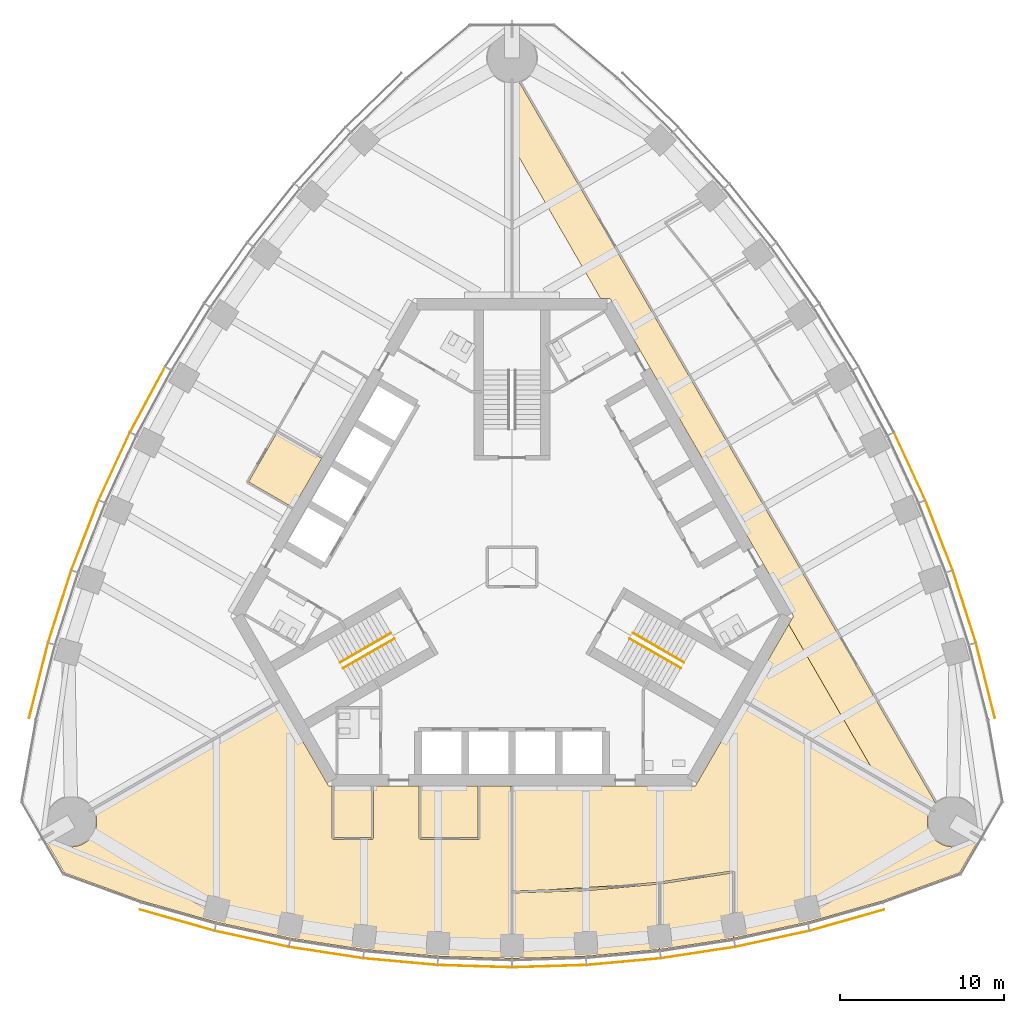
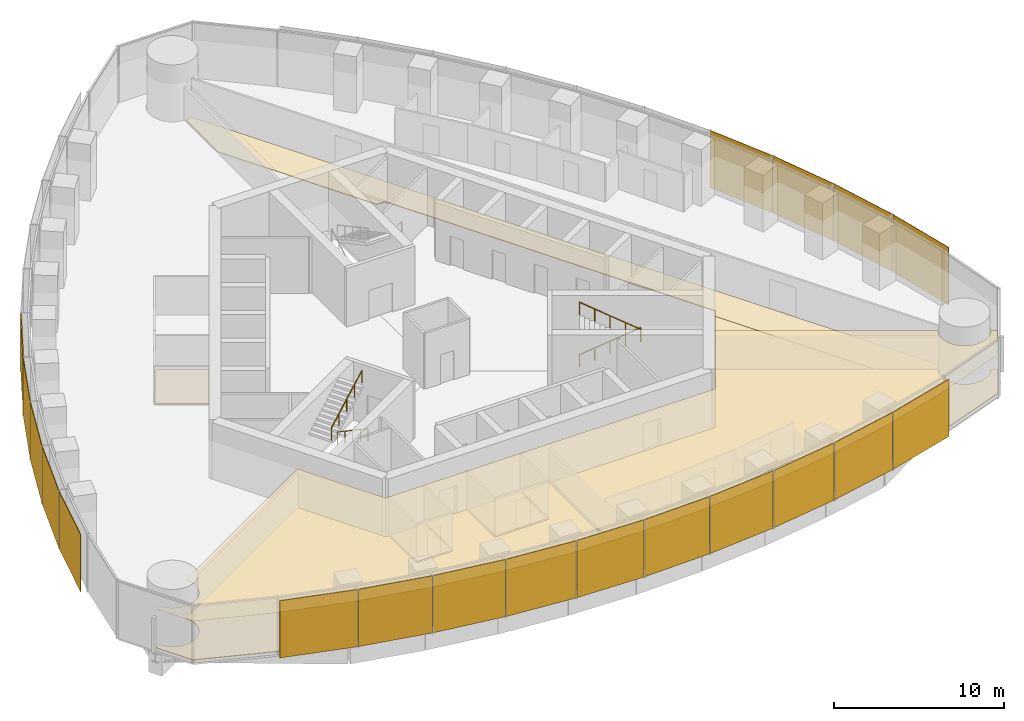
# One storey, part 11 of 15: 19 shading devices, 10 coverings, 4 railings.
"""IFC4 building model written with IfcOpenShell, lengths in metres."""

from ifc_helpers import new_model, si_unit, direction, frame, origin, origin_2d, place, context, subcontext, project, spatial, polyline, rectangle, circle, outline, extrude, material, layer, layer_set, type_object, element, save


model = new_model("IFC4")

# Units and contexts
model_context = context("Model", 3, precision=1e-05, world=origin(), true_north=direction((0.0, 1.0)))
body_context = subcontext(model_context, "Body", "Model", "MODEL_VIEW")
ifc_project = project(units=[si_unit("LENGTHUNIT", "METRE"), si_unit("AREAUNIT", "SQUARE_METRE"), si_unit("VOLUMEUNIT", "CUBIC_METRE"), si_unit("PLANEANGLEUNIT", "RADIAN"), si_unit("MASSUNIT", "GRAM", prefix="KILO")], contexts=[model_context])

# Site, building, storey
site_placement = place(None, origin())
site = spatial("IfcSite", under=ifc_project, at=site_placement, CompositionType="ELEMENT")
building_placement = place(site_placement, origin())
building = spatial("IfcBuilding", under=site, at=building_placement, Name="Trefoil Bronze Tower", CompositionType="ELEMENT")
storey_placement = place(building_placement, frame((0.0, 0.0, 276.300048828125)))
storey = spatial("IfcBuildingStorey", under=building, at=storey_placement, Name="L63", CompositionType="ELEMENT", Elevation=276.300048828125)

# Shading devices
ifc_material_1 = material(Name="Perforated bronze sheet", Category="bronze")
ifc_layer_1 = layer(ifc_material_1, 0.0400390625)
ifc_layer_set_1 = layer_set([ifc_layer_1], Name="Bronze solar screen panel")
shading_device_type = type_object("IfcShadingDeviceType", Name="Bronze solar screen panel", PredefinedType="SHUTTER", material=ifc_layer_set_1)
shading_device_1_placement = place(storey_placement, frame((-20.42138671875, -21.515625, 0.0498046875), z_axis=(0.0, 0.0, 1.0), x_axis=(0.962097746943, -0.272704831875, 0.0)))
element("IfcShadingDevice", 1, at=shading_device_1_placement, inside=storey, type_object=shading_device_type, Name="Solar screen CW-A L63 F1 bay 1", PredefinedType="SHUTTER", context=body_context, shape_type="SweptSolid", body=[
    extrude(rectangle(XDim=4.697509765625, YDim=0.0400390625, at=origin_2d()), origin(), (0.0, 0.0, 1.0), 4.10009765625),
])
shading_device_2_placement = place(storey_placement, frame((-15.864501953125, -22.65625, 0.0498046875), z_axis=(0.0, 0.0, 1.0), x_axis=(0.977303138829, -0.211845639168, 0.0)))
element("IfcShadingDevice", 2, at=shading_device_2_placement, inside=storey, type_object=shading_device_type, Name="Solar screen CW-A L63 F1 bay 2", PredefinedType="SHUTTER", context=body_context, shape_type="SweptSolid", body=[
    extrude(rectangle(XDim=4.574462890625, YDim=0.0400390625, at=origin_2d()), origin(), (0.0, 0.0, 1.0), 4.10009765625),
])
shading_device_3_placement = place(storey_placement, frame((-11.331787109375, -23.494384765625, 0.0498046875), z_axis=(0.0, 0.0, 1.0), x_axis=(0.988485337216, -0.151316681529, 0.0)))
element("IfcShadingDevice", 3, at=shading_device_3_placement, inside=storey, type_object=shading_device_type, Name="Solar screen CW-A L63 F1 bay 3", PredefinedType="SHUTTER", context=body_context, shape_type="SweptSolid", body=[
    extrude(rectangle(XDim=4.5224609375, YDim=0.0400390625, at=origin_2d()), origin(), (0.0, 0.0, 1.0), 4.10009765625),
])
shading_device_4_placement = place(storey_placement, frame((-6.799072265625, -24.048095703125, 0.0498046875), z_axis=(0.0, 0.0, 1.0), x_axis=(0.99587011625, -0.090789380212, 0.0)))
element("IfcShadingDevice", 4, at=shading_device_4_placement, inside=storey, type_object=shading_device_type, Name="Solar screen CW-A L63 F1 bay 4", PredefinedType="SHUTTER", context=body_context, shape_type="SweptSolid", body=[
    extrude(rectangle(XDim=4.48876953125, YDim=0.0400390625, at=origin_2d()), origin(), (0.0, 0.0, 1.0), 4.10009765625),
])
for number, where, z_axis, x_axis, name in (
    (5, (-2.266357421875, -24.3232421875, 0.0498046875), (0.0, 0.0, 1.0), (0.999541969785, -0.030263024264, 0.0), "Solar screen CW-A L63 F1 bay 5"),
    (6, (2.266357421875, -24.3232421875, 0.0498046875), (0.0, 0.0, 1.0), (0.999541969785, 0.030263024264, 0.0), "Solar screen CW-A L63 F1 bay 6"),
):
    element("IfcShadingDevice", number, at=place(storey_placement, frame(where, z_axis=z_axis, x_axis=x_axis)), inside=storey, type_object=shading_device_type, Name=name, PredefinedType="SHUTTER", context=body_context, shape_type="SweptSolid", body=[
        extrude(rectangle(XDim=4.47216796875, YDim=0.0400390625, at=origin_2d()), origin(), (0.0, 0.0, 1.0), 4.10009765625),
    ])
shading_device_5_placement = place(storey_placement, frame((6.799072265625, -24.048095703125, 0.0498046875), z_axis=(0.0, 0.0, 1.0), x_axis=(0.99587011625, 0.090789380212, 0.0)))
element("IfcShadingDevice", 7, at=shading_device_5_placement, inside=storey, type_object=shading_device_type, Name="Solar screen CW-A L63 F1 bay 7", PredefinedType="SHUTTER", context=body_context, shape_type="SweptSolid", body=[
    extrude(rectangle(XDim=4.48876953125, YDim=0.0400390625, at=origin_2d()), origin(), (0.0, 0.0, 1.0), 4.10009765625),
])
shading_device_6_placement = place(storey_placement, frame((11.331787109375, -23.494384765625, 0.0498046875), z_axis=(0.0, 0.0, 1.0), x_axis=(0.988485337216, 0.151316681529, 0.0)))
element("IfcShadingDevice", 8, at=shading_device_6_placement, inside=storey, type_object=shading_device_type, Name="Solar screen CW-A L63 F1 bay 8", PredefinedType="SHUTTER", context=body_context, shape_type="SweptSolid", body=[
    extrude(rectangle(XDim=4.5224609375, YDim=0.0400390625, at=origin_2d()), origin(), (0.0, 0.0, 1.0), 4.10009765625),
])
shading_device_7_placement = place(storey_placement, frame((15.864501953125, -22.65625, 0.0498046875), z_axis=(0.0, 0.0, 1.0), x_axis=(0.977303138829, 0.211845639168, 0.0)))
element("IfcShadingDevice", 9, at=shading_device_7_placement, inside=storey, type_object=shading_device_type, Name="Solar screen CW-A L63 F1 bay 9", PredefinedType="SHUTTER", context=body_context, shape_type="SweptSolid", body=[
    extrude(rectangle(XDim=4.574462890625, YDim=0.0400390625, at=origin_2d()), origin(), (0.0, 0.0, 1.0), 4.10009765625),
])
for number, where, z_axis, x_axis, name in (
    (10, (20.42138671875, -21.515625, 0.0498046875), (0.0, 0.0, 1.0), (0.962097746943, 0.272704831875, 0.0), "Solar screen CW-A L63 F1 bay 10"),
    (11, (28.843994140625, -6.927490234375, 0.0498046875), (0.0, 0.0, 1.0), (-0.244879561333, 0.969553505713, 0.0), "Solar screen CW-A L63 F2 bay 1"),
):
    element("IfcShadingDevice", number, at=place(storey_placement, frame(where, z_axis=z_axis, x_axis=x_axis)), inside=storey, type_object=shading_device_type, Name=name, PredefinedType="SHUTTER", context=body_context, shape_type="SweptSolid", body=[
        extrude(rectangle(XDim=4.697509765625, YDim=0.0400390625, at=origin_2d()), origin(), (0.0, 0.0, 1.0), 4.10009765625),
    ])
shading_device_8_placement = place(storey_placement, frame((27.55322265625, -2.410888671875, 0.0498046875), z_axis=(0.0, 0.0, 1.0), x_axis=(-0.305187864214, 0.952292165009, 0.0)))
element("IfcShadingDevice", 12, at=shading_device_8_placement, inside=storey, type_object=shading_device_type, Name="Solar screen CW-A L63 F2 bay 2", PredefinedType="SHUTTER", context=body_context, shape_type="SweptSolid", body=[
    extrude(rectangle(XDim=4.574462890625, YDim=0.0400390625, at=origin_2d()), origin(), (0.0, 0.0, 1.0), 4.10009765625),
])
shading_device_9_placement = place(storey_placement, frame((26.0126953125, 1.93359375, 0.0498046875), z_axis=(0.0, 0.0, 1.0), x_axis=(-0.363198578387, 0.931711754062, 0.0)))
element("IfcShadingDevice", 13, at=shading_device_9_placement, inside=storey, type_object=shading_device_type, Name="Solar screen CW-A L63 F2 bay 3", PredefinedType="SHUTTER", context=body_context, shape_type="SweptSolid", body=[
    extrude(rectangle(XDim=4.5224609375, YDim=0.0400390625, at=origin_2d()), origin(), (0.0, 0.0, 1.0), 4.10009765625),
])
shading_device_10_placement = place(storey_placement, frame((24.2255859375, 6.135986328125, 0.0498046875), z_axis=(0.0, 0.0, 1.0), x_axis=(-0.419309148468, 0.907843509649, 0.0)))
element("IfcShadingDevice", 14, at=shading_device_10_placement, inside=storey, type_object=shading_device_type, Name="Solar screen CW-A L63 F2 bay 4", PredefinedType="SHUTTER", context=body_context, shape_type="SweptSolid", body=[
    extrude(rectangle(XDim=4.48876953125, YDim=0.0400390625, at=origin_2d()), origin(), (0.0, 0.0, 1.0), 4.10009765625),
])
shading_device_11_placement = place(storey_placement, frame((-22.19775390625, 10.198974609375, 0.0498046875), z_axis=(0.0, 0.0, 1.0), x_axis=(-0.473562437085, -0.880760250115, 0.0)))
element("IfcShadingDevice", 15, at=shading_device_11_placement, inside=storey, type_object=shading_device_type, Name="Solar screen CW-A L63 F3 bay 6", PredefinedType="SHUTTER", context=body_context, shape_type="SweptSolid", body=[
    extrude(rectangle(XDim=4.47216796875, YDim=0.0400390625, at=origin_2d()), origin(), (0.0, 0.0, 1.0), 4.10009765625),
])
shading_device_12_placement = place(storey_placement, frame((-24.2255859375, 6.135986328125, 0.0498046875), z_axis=(0.0, 0.0, 1.0), x_axis=(-0.419309148468, -0.907843509649, 0.0)))
element("IfcShadingDevice", 16, at=shading_device_12_placement, inside=storey, type_object=shading_device_type, Name="Solar screen CW-A L63 F3 bay 7", PredefinedType="SHUTTER", context=body_context, shape_type="SweptSolid", body=[
    extrude(rectangle(XDim=4.48876953125, YDim=0.0400390625, at=origin_2d()), origin(), (0.0, 0.0, 1.0), 4.10009765625),
])
shading_device_13_placement = place(storey_placement, frame((-26.0126953125, 1.93359375, 0.0498046875), z_axis=(0.0, 0.0, 1.0), x_axis=(-0.363198578387, -0.931711754062, 0.0)))
element("IfcShadingDevice", 17, at=shading_device_13_placement, inside=storey, type_object=shading_device_type, Name="Solar screen CW-A L63 F3 bay 8", PredefinedType="SHUTTER", context=body_context, shape_type="SweptSolid", body=[
    extrude(rectangle(XDim=4.5224609375, YDim=0.0400390625, at=origin_2d()), origin(), (0.0, 0.0, 1.0), 4.10009765625),
])
shading_device_14_placement = place(storey_placement, frame((-27.55322265625, -2.410888671875, 0.0498046875), z_axis=(0.0, 0.0, 1.0), x_axis=(-0.305187864214, -0.952292165009, 0.0)))
element("IfcShadingDevice", 18, at=shading_device_14_placement, inside=storey, type_object=shading_device_type, Name="Solar screen CW-A L63 F3 bay 9", PredefinedType="SHUTTER", context=body_context, shape_type="SweptSolid", body=[
    extrude(rectangle(XDim=4.574462890625, YDim=0.0400390625, at=origin_2d()), origin(), (0.0, 0.0, 1.0), 4.10009765625),
])
shading_device_15_placement = place(storey_placement, frame((-28.843994140625, -6.927490234375, 0.0498046875), z_axis=(0.0, 0.0, 1.0), x_axis=(-0.244879561333, -0.969553505713, 0.0)))
element("IfcShadingDevice", 19, at=shading_device_15_placement, inside=storey, type_object=shading_device_type, Name="Solar screen CW-A L63 F3 bay 10", PredefinedType="SHUTTER", context=body_context, shape_type="SweptSolid", body=[
    extrude(rectangle(XDim=4.697509765625, YDim=0.0400390625, at=origin_2d()), origin(), (0.0, 0.0, 1.0), 4.10009765625),
])

# Railings
ifc_material_2 = material(Name="Steel handrail", Category="steel")
railing_type = type_object("IfcRailingType", Name="Handrail 900", PredefinedType="HANDRAIL", material=ifc_material_2)
railing_1_placement = place(storey_placement, frame((7.365966796875, -4.021728515625, 0.161376953125)))
element("IfcRailing", 20, at=railing_1_placement, inside=storey, type_object=railing_type, Name="Handrail ST1 flight 1 L63", PredefinedType="HANDRAIL", context=body_context, shape_type="SweptSolid", body=[
    extrude(circle(Radius=0.02392578125, at=origin_2d()), frame((0.0, 0.0, 0.8759765625), z_axis=(0.76250339821, -0.440245697338, 0.474101564745), x_axis=(0.500012057535, 0.866018442252, 0.0)), (0.0, 0.0, 1.0), 4.088623046875),
    extrude(circle(Radius=0.02099609375, at=origin_2d()), origin(), (0.0, 0.0, 1.0), 0.851806640625),
    extrude(circle(Radius=0.02099609375, at=origin_2d()), frame((0.779296875, -0.449951171875, 0.484619140625)), (0.0, 0.0, 1.0), 0.851806640625),
    extrude(circle(Radius=0.02099609375, at=origin_2d()), frame((1.558837890625, -0.89990234375, 0.96923828125)), (0.0, 0.0, 1.0), 0.851806640625),
    extrude(circle(Radius=0.02099609375, at=origin_2d()), frame((2.33837890625, -1.35009765625, 1.453857421875)), (0.0, 0.0, 1.0), 0.851806640625),
    extrude(circle(Radius=0.02099609375, at=origin_2d()), frame((3.11767578125, -1.800048828125, 1.9384765625)), (0.0, 0.0, 1.0), 0.851806640625),
])
railing_2_placement = place(storey_placement, frame((10.28369140625, -6.168212890625, 2.261474609375)))
element("IfcRailing", 21, at=railing_2_placement, inside=storey, type_object=railing_type, Name="Handrail ST1 flight 2 L63", PredefinedType="HANDRAIL", context=body_context, shape_type="SweptSolid", body=[
    extrude(circle(Radius=0.02392578125, at=origin_2d()), frame((0.0, 0.0, 0.8759765625), z_axis=(-0.76250339821, 0.440245697338, 0.474101564745), x_axis=(-0.500012057535, -0.866018442252, 0.0)), (0.0, 0.0, 1.0), 4.088623046875),
    extrude(circle(Radius=0.02099609375, at=origin_2d()), origin(), (0.0, 0.0, 1.0), 0.851806640625),
    extrude(circle(Radius=0.02099609375, at=origin_2d()), frame((-0.779296875, 0.449951171875, 0.484619140625)), (0.0, 0.0, 1.0), 0.851806640625),
    extrude(circle(Radius=0.02099609375, at=origin_2d()), frame((-1.558837890625, 0.89990234375, 0.96923828125)), (0.0, 0.0, 1.0), 0.851806640625),
    extrude(circle(Radius=0.02099609375, at=origin_2d()), frame((-2.33837890625, 1.35009765625, 1.453857421875)), (0.0, 0.0, 1.0), 0.851806640625),
    extrude(circle(Radius=0.02099609375, at=origin_2d()), frame((-3.11767578125, 1.800048828125, 1.9384765625)), (0.0, 0.0, 1.0), 0.851806640625),
])
railing_3_placement = place(storey_placement, frame((-7.166015625, -4.3681640625, 0.161376953125)))
element("IfcRailing", 22, at=railing_3_placement, inside=storey, type_object=railing_type, Name="Handrail ST3 flight 1 L63", PredefinedType="HANDRAIL", context=body_context, shape_type="SweptSolid", body=[
    extrude(circle(Radius=0.02392578125, at=origin_2d()), frame((0.0, 0.0, 0.8759765625), z_axis=(-0.76250339821, -0.440245697338, 0.474101564745), x_axis=(0.500012057535, -0.866018442252, 0.0)), (0.0, 0.0, 1.0), 4.088623046875),
    extrude(circle(Radius=0.02099609375, at=origin_2d()), origin(), (0.0, 0.0, 1.0), 0.851806640625),
    extrude(circle(Radius=0.02099609375, at=origin_2d()), frame((-0.779296875, -0.449951171875, 0.484619140625)), (0.0, 0.0, 1.0), 0.851806640625),
    extrude(circle(Radius=0.02099609375, at=origin_2d()), frame((-1.558837890625, -0.89990234375, 0.96923828125)), (0.0, 0.0, 1.0), 0.851806640625),
    extrude(circle(Radius=0.02099609375, at=origin_2d()), frame((-2.33837890625, -1.35009765625, 1.453857421875)), (0.0, 0.0, 1.0), 0.851806640625),
    extrude(circle(Radius=0.02099609375, at=origin_2d()), frame((-3.11767578125, -1.800048828125, 1.9384765625)), (0.0, 0.0, 1.0), 0.851806640625),
])
railing_4_placement = place(storey_placement, frame((-10.483642578125, -5.82177734375, 2.261474609375)))
element("IfcRailing", 23, at=railing_4_placement, inside=storey, type_object=railing_type, Name="Handrail ST3 flight 2 L63", PredefinedType="HANDRAIL", context=body_context, shape_type="SweptSolid", body=[
    extrude(circle(Radius=0.02392578125, at=origin_2d()), frame((0.0, 0.0, 0.8759765625), z_axis=(0.76250339821, 0.440245697338, 0.474101564745), x_axis=(-0.500012057535, 0.866018442252, 0.0)), (0.0, 0.0, 1.0), 4.088623046875),
    extrude(circle(Radius=0.02099609375, at=origin_2d()), origin(), (0.0, 0.0, 1.0), 0.851806640625),
    extrude(circle(Radius=0.02099609375, at=origin_2d()), frame((0.779296875, 0.449951171875, 0.484619140625)), (0.0, 0.0, 1.0), 0.851806640625),
    extrude(circle(Radius=0.02099609375, at=origin_2d()), frame((1.558837890625, 0.89990234375, 0.96923828125)), (0.0, 0.0, 1.0), 0.851806640625),
    extrude(circle(Radius=0.02099609375, at=origin_2d()), frame((2.33837890625, 1.35009765625, 1.453857421875)), (0.0, 0.0, 1.0), 0.851806640625),
    extrude(circle(Radius=0.02099609375, at=origin_2d()), frame((3.11767578125, 1.800048828125, 1.9384765625)), (0.0, 0.0, 1.0), 0.851806640625),
])

# Coverings
ifc_material_3 = material(Name="Acoustic ceiling panels", Category="mineral fibre")
ifc_layer_2 = layer(ifc_material_3, 0.02001953125)
ifc_layer_set_2 = layer_set([ifc_layer_2], Name="Office ceiling 20")
covering_type_1 = type_object("IfcCoveringType", Name="Office ceiling 20", PredefinedType="CEILING", material=ifc_layer_set_2)
covering_1_placement = place(storey_placement, frame((0.0, 0.0, 2.89990234375)))
element("IfcCovering", 24, at=covering_1_placement, inside=storey, type_object=covering_type_1, Name="Ceiling L63 Open-plan office F1", PredefinedType="CEILING", context=body_context, shape_type="SweptSolid", body=[
    extrude(outline(polyline([(-28.135498046875, -16.361083984375), (-28.091796875, -16.42333984375), (-28.044921875, -16.4833984375), (-27.995361328125, -16.541015625), (-27.94287109375, -16.595947265625), (-27.8876953125, -16.6484375), (-27.830078125, -16.6982421875), (-27.77001953125, -16.7451171875), (-27.7080078125, -16.788818359375), (-27.6435546875, -16.82958984375), (-27.577392578125, -16.866943359375), (-27.509521484375, -16.901123046875), (-27.43994140625, -16.931884765625), (-27.368896484375, -16.95947265625), (-27.296630859375, -16.9833984375), (-27.223388671875, -17.00341796875), (-27.149169921875, -17.020263671875), (-27.07421875, -17.033203125), (-26.998779296875, -17.04248046875), (-26.9228515625, -17.048095703125), (-26.8466796875, -17.050048828125), (-26.770751953125, -17.048095703125), (-26.69482421875, -17.04248046875), (-26.619384765625, -17.033203125), (-26.54443359375, -17.020263671875), (-26.47021484375, -17.00341796875), (-26.396728515625, -16.9833984375), (-26.32470703125, -16.95947265625), (-26.253662109375, -16.931884765625), (-26.18408203125, -16.901123046875), (-26.1162109375, -16.866943359375), (-26.0498046875, -16.82958984375), (-25.985595703125, -16.788818359375), (-25.923583984375, -16.7451171875), (-25.863525390625, -16.6982421875), (-25.805908203125, -16.6484375), (-25.750732421875, -16.595947265625), (-25.6982421875, -16.541015625), (-25.648681640625, -16.4833984375), (-25.601806640625, -16.42333984375), (-25.55810546875, -16.361083984375), (-25.517333984375, -16.296875), (-25.479736328125, -16.230712890625), (-25.445556640625, -16.16259765625), (-25.414794921875, -16.09326171875), (-25.387451171875, -16.022216796875), (-25.363525390625, -15.949951171875), (-25.34326171875, -15.876708984375), (-25.32666015625, -15.802490234375), (-25.313720703125, -15.727294921875), (-25.30419921875, -15.65185546875), (-25.298583984375, -15.576171875), (-25.296875, -15.5), (-25.298583984375, -15.423828125), (-25.30419921875, -15.34814453125), (-25.313720703125, -15.272705078125), (-25.32666015625, -15.197509765625), (-25.34326171875, -15.123291015625), (-25.363525390625, -15.050048828125), (-25.387451171875, -14.977783203125), (-25.414794921875, -14.90673828125), (-25.445556640625, -14.83740234375), (-25.479736328125, -14.769287109375), (-25.49951171875, -14.73486328125), (-14.156494140625, -8.180419921875), (-11.171630859375, -13.35009765625), (11.171630859375, -13.35009765625), (14.156494140625, -8.180419921875), (25.49951171875, -14.73486328125), (25.479736328125, -14.769287109375), (25.445556640625, -14.83740234375), (25.414794921875, -14.90673828125), (25.387451171875, -14.977783203125), (25.363525390625, -15.050048828125), (25.34326171875, -15.123291015625), (25.32666015625, -15.197509765625), (25.313720703125, -15.272705078125), (25.30419921875, -15.34814453125), (25.298583984375, -15.423828125), (25.296875, -15.5), (25.298583984375, -15.576171875), (25.30419921875, -15.65185546875), (25.313720703125, -15.727294921875), (25.32666015625, -15.802490234375), (25.34326171875, -15.876708984375), (25.363525390625, -15.949951171875), (25.387451171875, -16.022216796875), (25.414794921875, -16.09326171875), (25.445556640625, -16.16259765625), (25.479736328125, -16.230712890625), (25.517333984375, -16.296875), (25.55810546875, -16.361083984375), (25.601806640625, -16.42333984375), (25.648681640625, -16.4833984375), (25.6982421875, -16.541015625), (25.750732421875, -16.595947265625), (25.805908203125, -16.6484375), (25.863525390625, -16.6982421875), (25.923583984375, -16.7451171875), (25.985595703125, -16.788818359375), (26.0498046875, -16.82958984375), (26.1162109375, -16.866943359375), (26.18408203125, -16.901123046875), (26.253662109375, -16.931884765625), (26.32470703125, -16.95947265625), (26.396728515625, -16.9833984375), (26.47021484375, -17.00341796875), (26.54443359375, -17.020263671875), (26.619384765625, -17.033203125), (26.69482421875, -17.04248046875), (26.770751953125, -17.048095703125), (26.8466796875, -17.050048828125), (26.9228515625, -17.048095703125), (26.998779296875, -17.04248046875), (27.07421875, -17.033203125), (27.149169921875, -17.020263671875), (27.223388671875, -17.00341796875), (27.296630859375, -16.9833984375), (27.368896484375, -16.95947265625), (27.43994140625, -16.931884765625), (27.509521484375, -16.901123046875), (27.577392578125, -16.866943359375), (27.6435546875, -16.82958984375), (27.7080078125, -16.788818359375), (27.77001953125, -16.7451171875), (27.830078125, -16.6982421875), (27.8876953125, -16.6484375), (27.94287109375, -16.595947265625), (27.995361328125, -16.541015625), (28.044921875, -16.4833984375), (28.091796875, -16.42333984375), (28.135498046875, -16.361083984375), (28.182861328125, -16.285400390625), (28.510009765625, -16.474609375), (27.26220703125, -18.635986328125), (22.54833984375, -20.3515625), (18.0, -21.640869140625), (13.5, -22.6162109375), (9.0, -23.30517578125), (4.5, -23.71533203125), (0.0, -23.8515625), (-4.5, -23.71533203125), (-9.0, -23.30517578125), (-13.5, -22.6162109375), (-18.0, -21.640869140625), (-22.54833984375, -20.3515625), (-27.26220703125, -18.635986328125), (-28.510009765625, -16.474609375), (-28.182861328125, -16.285400390625), (-28.135498046875, -16.361083984375)])), origin(), (0.0, 0.0, 1.0), 0.02001953125),
])
ifc_material_4 = material(Name="Raised access floor panels", Category="steel")
ifc_layer_3 = layer(ifc_material_4, 0.050048828125)
ifc_layer_set_3 = layer_set([ifc_layer_3], Name="Raised access floor 150")
covering_type_2 = type_object("IfcCoveringType", Name="Raised access floor 150", PredefinedType="FLOORING", material=ifc_layer_set_3)
covering_2_placement = place(storey_placement, frame((0.0, 0.0, 0.099853515625)))
element("IfcCovering", 25, at=covering_2_placement, inside=storey, type_object=covering_type_2, Name="Raised floor L63 Meeting room F1", PredefinedType="FLOORING", context=body_context, shape_type="SweptSolid", body=[
    extrude(outline(polyline([(-2.06005859375, -13.35009765625), (-2.06005859375, -16.489990234375), (-5.5400390625, -16.489990234375), (-5.5400390625, -13.35009765625), (-2.06005859375, -13.35009765625)])), origin(), (0.0, 0.0, 1.0), 0.050048828125),
])
covering_3_placement = place(storey_placement, frame((0.0, 0.0, 0.099853515625)))
element("IfcCovering", 26, at=covering_3_placement, inside=storey, type_object=covering_type_2, Name="Raised floor L63 Comms room F1", PredefinedType="FLOORING", context=body_context, shape_type="SweptSolid", body=[
    extrude(outline(polyline([(-8.56005859375, -13.35009765625), (-8.56005859375, -16.489990234375), (-10.840087890625, -16.489990234375), (-10.840087890625, -13.35009765625), (-8.56005859375, -13.35009765625)])), origin(), (0.0, 0.0, 1.0), 0.050048828125),
])
covering_4_placement = place(storey_placement, frame((0.0, 0.0, 0.099853515625)))
element("IfcCovering", 27, at=covering_4_placement, inside=storey, type_object=covering_type_2, Name="Raised floor L63 Kitchen and breakout F1", PredefinedType="FLOORING", context=body_context, shape_type="SweptSolid", body=[
    extrude(outline(polyline([(4.5, -23.71533203125), (0.0, -23.8515625), (0.0, -22.321533203125), (0.074951171875, -22.321533203125), (0.074951171875, -19.859375), (4.501708984375, -19.725341796875), (4.5, -19.665283203125), (4.50537109375, -19.72509765625), (8.93994140625, -19.32080078125), (8.93994140625, -21.763916015625), (9.0, -21.763916015625), (9.0, -23.30517578125), (4.5, -23.71533203125)])), origin(), (0.0, 0.0, 1.0), 0.050048828125),
])
covering_5_placement = place(storey_placement, frame((0.0, 0.0, 0.099853515625)))
element("IfcCovering", 28, at=covering_5_placement, inside=storey, type_object=covering_type_2, Name="Raised floor L63 Meeting room F1", PredefinedType="FLOORING", context=body_context, shape_type="SweptSolid", body=[
    extrude(outline(polyline([(13.5, -22.6162109375), (9.0, -23.30517578125), (9.0, -21.763916015625), (9.06005859375, -21.763916015625), (9.06005859375, -19.306640625), (13.43994140625, -18.635986328125), (13.43994140625, -21.060546875), (13.5, -21.060546875), (13.5, -22.6162109375)])), origin(), (0.0, 0.0, 1.0), 0.050048828125),
])
covering_6_placement = place(storey_placement, frame((0.0, 0.0, 0.099853515625)))
element("IfcCovering", 29, at=covering_6_placement, inside=storey, type_object=covering_type_2, Name="Raised floor L63 Open-plan office F1", PredefinedType="FLOORING", context=body_context, shape_type="SweptSolid", body=[
    extrude(outline(polyline([(-25.49951171875, -14.73486328125), (-14.156494140625, -8.180419921875), (-11.171630859375, -13.35009765625), (-10.9599609375, -13.35009765625), (-10.9599609375, -16.550048828125), (-10.89990234375, -16.550048828125), (-10.89990234375, -16.610107421875), (-8.5, -16.610107421875), (-8.5, -16.550048828125), (-8.43994140625, -16.550048828125), (-8.43994140625, -13.35009765625), (-5.659912109375, -13.35009765625), (-5.659912109375, -16.550048828125), (-5.60009765625, -16.550048828125), (-5.60009765625, -16.610107421875), (-2.0, -16.610107421875), (-2.0, -16.550048828125), (-1.93994140625, -16.550048828125), (-1.93994140625, -13.35009765625), (-0.0009765625, -13.35009765625), (-0.0009765625, -13.360107421875), (-0.074951171875, -13.360107421875), (-0.074951171875, -22.321533203125), (-0.0009765625, -22.321533203125), (-0.0009765625, -23.8515625), (-4.5, -23.71533203125), (-9.0, -23.30517578125), (-13.5, -22.6162109375), (-18.0, -21.640869140625), (-22.54833984375, -20.3515625), (-27.26220703125, -18.635986328125), (-28.510009765625, -16.474609375), (-28.182861328125, -16.285400390625), (-28.135498046875, -16.361083984375), (-28.091796875, -16.42333984375), (-28.044921875, -16.4833984375), (-27.995361328125, -16.541015625), (-27.94287109375, -16.595947265625), (-27.8876953125, -16.6484375), (-27.830078125, -16.6982421875), (-27.77001953125, -16.7451171875), (-27.7080078125, -16.788818359375), (-27.6435546875, -16.82958984375), (-27.577392578125, -16.866943359375), (-27.509521484375, -16.901123046875), (-27.43994140625, -16.931884765625), (-27.368896484375, -16.95947265625), (-27.296630859375, -16.9833984375), (-27.223388671875, -17.00341796875), (-27.149169921875, -17.020263671875), (-27.07421875, -17.033203125), (-26.998779296875, -17.04248046875), (-26.9228515625, -17.048095703125), (-26.8466796875, -17.050048828125), (-26.770751953125, -17.048095703125), (-26.69482421875, -17.04248046875), (-26.619384765625, -17.033203125), (-26.54443359375, -17.020263671875), (-26.47021484375, -17.00341796875), (-26.396728515625, -16.9833984375), (-26.32470703125, -16.95947265625), (-26.253662109375, -16.931884765625), (-26.18408203125, -16.901123046875), (-26.1162109375, -16.866943359375), (-26.0498046875, -16.82958984375), (-25.985595703125, -16.788818359375), (-25.923583984375, -16.7451171875), (-25.863525390625, -16.6982421875), (-25.805908203125, -16.6484375), (-25.750732421875, -16.595947265625), (-25.6982421875, -16.541015625), (-25.648681640625, -16.4833984375), (-25.601806640625, -16.42333984375), (-25.55810546875, -16.361083984375), (-25.517333984375, -16.296875), (-25.479736328125, -16.230712890625), (-25.445556640625, -16.16259765625), (-25.414794921875, -16.09326171875), (-25.387451171875, -16.022216796875), (-25.363525390625, -15.949951171875), (-25.34326171875, -15.876708984375), (-25.32666015625, -15.802490234375), (-25.313720703125, -15.727294921875), (-25.30419921875, -15.65185546875), (-25.298583984375, -15.576171875), (-25.296875, -15.5), (-25.298583984375, -15.423828125), (-25.30419921875, -15.34814453125), (-25.313720703125, -15.272705078125), (-25.32666015625, -15.197509765625), (-25.34326171875, -15.123291015625), (-25.363525390625, -15.050048828125), (-25.387451171875, -14.977783203125), (-25.414794921875, -14.90673828125), (-25.445556640625, -14.83740234375), (-25.479736328125, -14.769287109375), (-25.49951171875, -14.73486328125)])), origin(), (0.0, 0.0, 1.0), 0.050048828125),
])
covering_7_placement = place(storey_placement, frame((0.0, 0.0, 0.099853515625)))
element("IfcCovering", 30, at=covering_7_placement, inside=storey, type_object=covering_type_2, Name="Raised floor L63 Open-plan office F1", PredefinedType="FLOORING", context=body_context, shape_type="SweptSolid", body=[
    extrude(outline(polyline([(13.5, -21.060546875), (13.56005859375, -21.060546875), (13.56005859375, -18.566162109375), (13.5, -18.566162109375), (13.490966796875, -18.5068359375), (8.99267578125, -19.195556640625), (7.02099609375, -19.375244140625), (1.9716796875, -19.681884765625), (0.074951171875, -19.7392578125), (0.074951171875, -13.360107421875), (0.0009765625, -13.360107421875), (0.0009765625, -13.35009765625), (11.171630859375, -13.35009765625), (14.156494140625, -8.180419921875), (25.49951171875, -14.73486328125), (25.479736328125, -14.769287109375), (25.445556640625, -14.83740234375), (25.414794921875, -14.90673828125), (25.387451171875, -14.977783203125), (25.363525390625, -15.050048828125), (25.34326171875, -15.123291015625), (25.32666015625, -15.197509765625), (25.313720703125, -15.272705078125), (25.30419921875, -15.34814453125), (25.298583984375, -15.423828125), (25.296875, -15.5), (25.298583984375, -15.576171875), (25.30419921875, -15.65185546875), (25.313720703125, -15.727294921875), (25.32666015625, -15.802490234375), (25.34326171875, -15.876708984375), (25.363525390625, -15.949951171875), (25.387451171875, -16.022216796875), (25.414794921875, -16.09326171875), (25.445556640625, -16.16259765625), (25.479736328125, -16.230712890625), (25.517333984375, -16.296875), (25.55810546875, -16.361083984375), (25.601806640625, -16.42333984375), (25.648681640625, -16.4833984375), (25.6982421875, -16.541015625), (25.750732421875, -16.595947265625), (25.805908203125, -16.6484375), (25.863525390625, -16.6982421875), (25.923583984375, -16.7451171875), (25.985595703125, -16.788818359375), (26.0498046875, -16.82958984375), (26.1162109375, -16.866943359375), (26.18408203125, -16.901123046875), (26.253662109375, -16.931884765625), (26.32470703125, -16.95947265625), (26.396728515625, -16.9833984375), (26.47021484375, -17.00341796875), (26.54443359375, -17.020263671875), (26.619384765625, -17.033203125), (26.69482421875, -17.04248046875), (26.770751953125, -17.048095703125), (26.8466796875, -17.050048828125), (26.9228515625, -17.048095703125), (26.998779296875, -17.04248046875), (27.07421875, -17.033203125), (27.149169921875, -17.020263671875), (27.223388671875, -17.00341796875), (27.296630859375, -16.9833984375), (27.368896484375, -16.95947265625), (27.43994140625, -16.931884765625), (27.509521484375, -16.901123046875), (27.577392578125, -16.866943359375), (27.6435546875, -16.82958984375), (27.7080078125, -16.788818359375), (27.77001953125, -16.7451171875), (27.830078125, -16.6982421875), (27.8876953125, -16.6484375), (27.94287109375, -16.595947265625), (27.995361328125, -16.541015625), (28.044921875, -16.4833984375), (28.091796875, -16.42333984375), (28.135498046875, -16.361083984375), (28.182861328125, -16.285400390625), (28.510009765625, -16.474609375), (27.26220703125, -18.635986328125), (22.54833984375, -20.3515625), (18.0, -21.640869140625), (13.5, -22.6162109375), (13.5, -21.060546875)])), origin(), (0.0, 0.0, 1.0), 0.050048828125),
])
covering_8_placement = place(storey_placement, frame((0.0, 0.0, 0.099853515625)))
element("IfcCovering", 31, at=covering_8_placement, inside=storey, type_object=covering_type_2, Name="Raised floor L63 Corridor F2", PredefinedType="FLOORING", context=body_context, shape_type="SweptSolid", body=[
    extrude(outline(polyline([(22.247314453125, -12.833251953125), (16.858642578125, -3.5), (17.147216796875, -3.0), (5.9755859375, 16.35009765625), (5.398193359375, 16.35009765625), (0.009521484375, 25.683349609375), (0.010986328125, 29.4501953125), (0.076171875, 29.451904296875), (0.15185546875, 29.45751953125), (0.227294921875, 29.466796875), (0.302490234375, 29.479736328125), (0.376708984375, 29.49658203125), (0.451904296875, 29.517333984375), (25.788818359375, -14.36767578125), (25.750732421875, -14.404052734375), (25.6982421875, -14.458984375), (25.648681640625, -14.5166015625), (25.601806640625, -14.57666015625), (25.55810546875, -14.638916015625), (25.51025390625, -14.715576171875), (22.247314453125, -12.833251953125)])), origin(), (0.0, 0.0, 1.0), 0.050048828125),
])
covering_9_placement = place(storey_placement, frame((0.0, 0.0, 0.099853515625)))
element("IfcCovering", 32, at=covering_9_placement, inside=storey, type_object=covering_type_2, Name="Raised floor L63 Open-plan office F2", PredefinedType="FLOORING", context=body_context, shape_type="SweptSolid", body=[
    extrude(outline(polyline([(14.16259765625, -8.169677734375), (16.858642578125, -3.5), (22.247314453125, -12.833251953125), (14.16259765625, -8.169677734375)])), origin(), (0.0, 0.0, 1.0), 0.050048828125),
])
covering_10_placement = place(storey_placement, frame((0.0, 0.0, 0.099853515625)))
element("IfcCovering", 33, at=covering_10_placement, inside=storey, type_object=covering_type_2, Name="Raised floor L63 Meeting room F3", PredefinedType="FLOORING", context=body_context, shape_type="SweptSolid", body=[
    extrude(outline(polyline([(-13.331298828125, 3.609375), (-16.05078125, 5.17919921875), (-14.310791015625, 8.193115234375), (-11.59130859375, 6.623046875), (-13.331298828125, 3.609375)])), origin(), (0.0, 0.0, 1.0), 0.050048828125),
])

save(model, "model.ifc")
